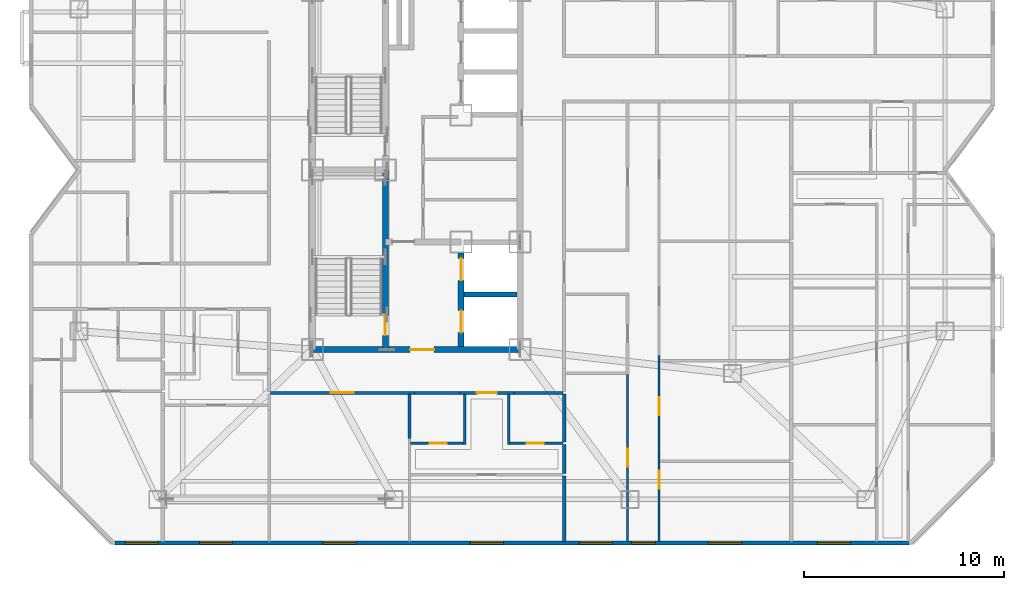
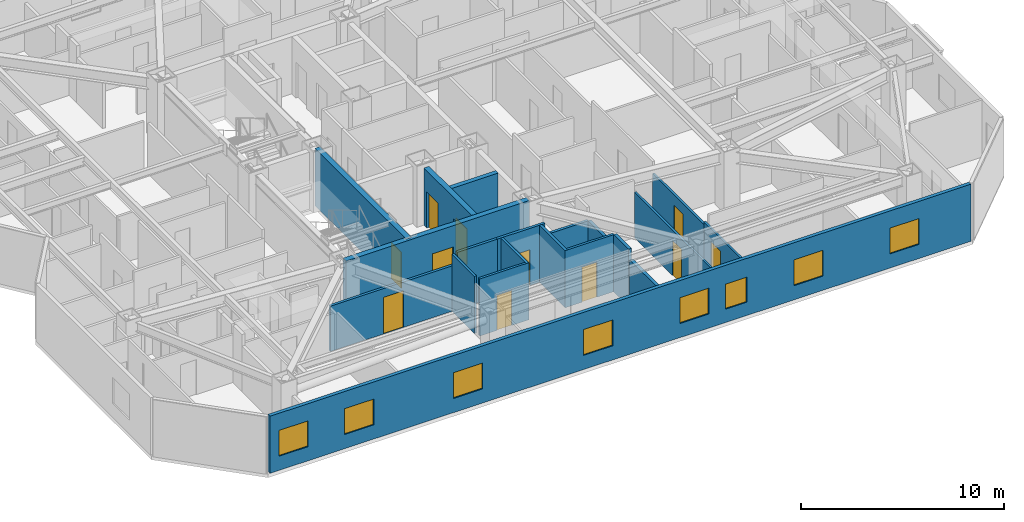
# One storey, part 6 of 13: 20 walls, 11 doors, 8 windows, 19 openings.
"""IFC4 building model written with IfcOpenShell, lengths in metres."""

import ifcopenshell
import ifcopenshell.guid

model = None  # the IFC model being written
_history = None  # IfcOwnerHistory: only IFC2X3 demands one
_inside = {}  # id of a spatial element -> (the spatial element, [elements in it])
_under = {}  # id of a project, library or spatial element -> (it, [spatial elements below it])
_declared = {}  # id of a project -> (the project, [libraries it declares])
_typed = {}  # id of a type object -> (the type object, [elements of that type])
_made_of = {}  # id of a material, layer set ... -> (it, [elements and type objects made of it])


def new_model(schema):
    """Start an empty IFC model of exactly this schema.

    Asked for "IFC4X3", IfcOpenShell would pick the latest addendum, in which some entities
    have other attributes; the version numbers below select the first issue.
    IFC2X3 requires an IfcOwnerHistory on every rooted entity: one is made here for all.
    """
    global model, _history
    if schema == "IFC4X3":
        model = ifcopenshell.file(schema_version=(4, 3, 0, 0))
    else:
        model = ifcopenshell.file(schema=schema)
    _inside.clear()
    _under.clear()
    _declared.clear()
    _typed.clear()
    _made_of.clear()
    _history = None
    if model.schema == "IFC2X3":
        org = make("IfcOrganization", Name="unknown")
        user = make(
            "IfcPersonAndOrganization",
            ThePerson=make("IfcPerson", FamilyName="unknown"),
            TheOrganization=org,
        )
        app = make(
            "IfcApplication",
            ApplicationDeveloper=org,
            Version="unknown",
            ApplicationFullName="unknown",
            ApplicationIdentifier="unknown",
        )
        _history = make(
            "IfcOwnerHistory",
            OwningUser=user,
            OwningApplication=app,
            ChangeAction="ADDED",
            CreationDate=0,
        )
    return model


def make(cls, **values):
    """One entity of the class cls with the attributes given. An attribute that is None is left unset."""
    return model.create_entity(
        cls, **{name: value for name, value in values.items() if value is not None}
    )


def rooted(cls, **values):
    """An entity with a GlobalId (a new one), such as an element, a storey or a relation."""
    return make(cls, GlobalId=ifcopenshell.guid.new(), OwnerHistory=_history, **values)


def si_unit(unit_type, name, prefix=None):
    """IfcSIUnit, for example si_unit("LENGTHUNIT", "METRE", prefix="MILLI")."""
    return make("IfcSIUnit", UnitType=unit_type, Prefix=prefix, Name=name)


def assignment(units):
    """IfcUnitAssignment: the units of a project."""
    return None if units is None else make("IfcUnitAssignment", Units=units)


def point(xyz):
    """IfcCartesianPoint."""
    return None if xyz is None else make("IfcCartesianPoint", Coordinates=xyz)


def direction(xyz):
    """IfcDirection."""
    return None if xyz is None else make("IfcDirection", DirectionRatios=xyz)


def frame(location, z_axis=None, x_axis=None):
    """IfcAxis2Placement3D, a coordinate frame: its origin and axes. An axis left out is left unset."""
    return make(
        "IfcAxis2Placement3D",
        Location=point(location),
        Axis=direction(z_axis),
        RefDirection=direction(x_axis),
    )


def frame_2d(location, x_axis=None):
    """IfcAxis2Placement2D, a coordinate frame in the plane: its origin and x axis."""
    return make(
        "IfcAxis2Placement2D", Location=point(location), RefDirection=direction(x_axis)
    )


def origin():
    """The frame at (0, 0, 0) with its axes left unset."""
    return frame((0.0, 0.0, 0.0))


def place(relative_to, where):
    """IfcLocalPlacement: puts the frame where relative to a parent placement (None: the world)."""
    return make(
        "IfcLocalPlacement", PlacementRelTo=relative_to, RelativePlacement=where
    )


def context(
    kind, dimensions, precision=None, world=None, true_north=None, identifier=None
):
    """IfcGeometricRepresentationContext, for example the 3D "Model" context."""
    return make(
        "IfcGeometricRepresentationContext",
        ContextIdentifier=identifier,
        ContextType=kind,
        CoordinateSpaceDimension=dimensions,
        Precision=precision,
        WorldCoordinateSystem=world,
        TrueNorth=true_north,
    )


def subcontext(parent, identifier, kind, view, scale=None):
    """IfcGeometricRepresentationSubContext, for example "Body" below "Model"."""
    return make(
        "IfcGeometricRepresentationSubContext",
        ContextIdentifier=identifier,
        ContextType=kind,
        ParentContext=parent,
        TargetScale=scale,
        TargetView=view,
    )


def project(units=None, contexts=None):
    """IfcProject with its units and contexts."""
    return rooted(
        "IfcProject",
        Name="project",
        RepresentationContexts=contexts,
        UnitsInContext=assignment(units),
    )


def spatial(cls, under=None, at=None, **own):
    """A site, building, storey or space (cls), placed at a placement, below another one or the project."""
    s = rooted(cls, ObjectPlacement=at, **own)
    if under is not None:
        _under.setdefault(under.id(), (under, []))[1].append(s)
    return s


def profile(cls, at=None, kind="AREA", **sizes):
    """A parametric profile (cls). Its sizes go by their IFC names, for example OverallWidth=200.0."""
    return make(cls, ProfileType=kind, Position=at, **sizes)


def rectangle(**sizes):
    """IfcRectangleProfileDef."""
    return profile("IfcRectangleProfileDef", **sizes)


def extrude(swept, where, along, depth):
    """IfcExtrudedAreaSolid: the profile swept, set in the frame where, extruded along a direction by depth."""
    return make(
        "IfcExtrudedAreaSolid",
        SweptArea=swept,
        Position=where,
        ExtrudedDirection=direction(along),
        Depth=depth,
    )


def shape(context_of_items, identifier, shape_type, items):
    """IfcShapeRepresentation: the items that make up one representation, for example the "Body"."""
    return make(
        "IfcShapeRepresentation",
        ContextOfItems=context_of_items,
        RepresentationIdentifier=identifier,
        RepresentationType=shape_type,
        Items=items,
    )


def material(Name=None, Category=None):
    """IfcMaterial."""
    return make("IfcMaterial", Name=Name, Category=Category)


def layer(
    of_material, thickness, ventilated=None, Name=None, Category=None, Priority=None
):
    """IfcMaterialLayer: one layer of a wall or slab, of a material (None: an air gap)."""
    return make(
        "IfcMaterialLayer",
        Material=of_material,
        LayerThickness=thickness,
        IsVentilated=ventilated,
        Name=Name,
        Category=Category,
        Priority=Priority,
    )


def layer_set(layers, Name=None):
    """IfcMaterialLayerSet."""
    return make("IfcMaterialLayerSet", MaterialLayers=layers, LayerSetName=Name)


def made_of(thing, what):
    """Note that an element or type object is made of a material, layer set ...; save() writes the relation."""
    if what is not None:
        _made_of.setdefault(what.id(), (what, []))[1].append(thing)
    return thing


def type_object(cls, material=None, **own):
    """A type object (cls), such as IfcWallType, which elements share."""
    return made_of(rooted(cls, **own), material)


def element(
    cls,
    number,
    at=None,
    inside=None,
    cuts=None,
    type_object=None,
    material=None,
    context=None,
    identifier="Body",
    shape_type=None,
    held_by="IfcProductDefinitionShape",
    body=None,
    shapes=None,
    **own,
):
    """One element of the class cls, such as IfcWall. Its Tag is "e" and its number.

    at: its placement. inside: the storey or other place that contains it. cuts: it is an
    opening in that element (IfcRelVoidsElement). A single representation is given by context,
    identifier, shape_type and body (its items); several are given by shapes. held_by: the class
    of the entity that holds the representations. save() writes the other relations.
    """
    e = rooted(cls, Tag="e%d" % number, ObjectPlacement=at, **own)
    if body is not None:
        shapes = [shape(context, identifier, shape_type, body)]
    if shapes is not None:
        e.Representation = make(held_by, Representations=shapes)
    if inside is not None:
        _inside.setdefault(inside.id(), (inside, []))[1].append(e)
    if cuts is not None:
        rooted(
            "IfcRelVoidsElement", RelatingBuildingElement=cuts, RelatedOpeningElement=e
        )
    if type_object is not None:
        _typed.setdefault(type_object.id(), (type_object, []))[1].append(e)
    return made_of(e, material)


def fill(opening, filler):
    """IfcRelFillsElement: the door or window that sits in an opening."""
    return rooted(
        "IfcRelFillsElement",
        RelatingOpeningElement=opening,
        RelatedBuildingElement=filler,
    )


def aggregate(whole, parts):
    """IfcRelAggregates: a whole, such as a stair, and the parts it consists of."""
    return rooted("IfcRelAggregates", RelatingObject=whole, RelatedObjects=parts)


def save(model, path):
    """Write the relations noted so far, then the file.

    IfcRelAggregates (storeys below a building ...), IfcRelContainedInSpatialStructure (elements
    in a storey), IfcRelDefinesByType, IfcRelAssociatesMaterial and IfcRelDeclares: one each for
    every whole, place, type object, material and project.
    """
    for whole, parts in _under.values():
        aggregate(whole, parts)
    for where, things in _inside.values():
        rooted(
            "IfcRelContainedInSpatialStructure",
            RelatedElements=things,
            RelatingStructure=where,
        )
    for kind, things in _typed.values():
        rooted("IfcRelDefinesByType", RelatedObjects=things, RelatingType=kind)
    for what, things in _made_of.values():
        rooted("IfcRelAssociatesMaterial", RelatedObjects=things, RelatingMaterial=what)
    for by, libraries in _declared.values():
        rooted("IfcRelDeclares", RelatingContext=by, RelatedDefinitions=libraries)
    model.write(path)


model = new_model("IFC4")

# Units and contexts
model_context = context("Model", 3, precision=1e-05, world=origin(), true_north=direction((0.0, 1.0)))
body_context = subcontext(model_context, "Body", "Model", "MODEL_VIEW")
ifc_project = project(units=[si_unit("LENGTHUNIT", "METRE"), si_unit("AREAUNIT", "SQUARE_METRE"), si_unit("VOLUMEUNIT", "CUBIC_METRE"), si_unit("PLANEANGLEUNIT", "RADIAN"), si_unit("MASSUNIT", "GRAM", prefix="KILO")], contexts=[model_context])

# Site, building, storey
site_placement = place(None, origin())
site = spatial("IfcSite", under=ifc_project, at=site_placement, CompositionType="ELEMENT")
building_placement = place(site_placement, origin())
building = spatial("IfcBuilding", under=site, at=building_placement, Name="Khamvora Tower", CompositionType="ELEMENT")
storey_placement = place(building_placement, frame((0.0, 0.0, 166.85009765625)))
storey = spatial("IfcBuildingStorey", under=building, at=storey_placement, Name="L42", CompositionType="ELEMENT", Elevation=166.85009765625)

# Wall, opening, door
ifc_material_1 = material(Name="Concrete C50/60", Category="concrete")
ifc_layer_1 = layer(ifc_material_1, 0.300048828125)
ifc_layer_set_1 = layer_set([ifc_layer_1], Name="Concrete C50/60")
wall_type_1 = type_object("IfcWallType", Name="WAL-CORE-300", PredefinedType="SHEAR", material=ifc_layer_set_1)
wall_1_placement = place(storey_placement, frame((29.0, 19.0, 0.0), z_axis=(0.0, 0.0, 1.0), x_axis=(1.0, 0.0, 0.0)))
wall_1 = element("IfcWall", 1, at=wall_1_placement, inside=storey, type_object=wall_type_1, Name="L42 central core south wall", PredefinedType="SHEAR", context=body_context, shape_type="SweptSolid", body=[
    extrude(rectangle(XDim=10.39990234375, YDim=0.300048828125, at=frame_2d((5.199951171875, 0.0))), origin(), (0.0, 0.0, 1.0), 3.429931640625),
])
opening_1_placement = place(wall_1_placement, frame((4.89990234375, 0.0, 0.0)))
opening_1 = element("IfcOpeningElement", 2, at=opening_1_placement, cuts=wall_1, Name="Opening D-CR1", PredefinedType="OPENING", context=body_context, shape_type="SweptSolid", body=[
    extrude(rectangle(XDim=1.199951171875, YDim=2.14990234375, at=frame_2d((0.60009765625, 1.074951171875))), frame((0.0, 0.159912109375, 0.0), z_axis=(0.0, -1.0, 0.0), x_axis=(1.0, 0.0, 0.0)), (0.0, 0.0, 1.0), 0.320068359375),
])
ifc_material_2 = material(Name="Powder-Coated Steel and Hardwood Leaf", Category="steel")
door_type_1 = type_object("IfcDoorType", Name="DOR-CORR-1200", OperationType="NOTDEFINED", PredefinedType="DOOR", material=ifc_material_2)
door_1_placement = place(opening_1_placement, origin())
door_1 = element("IfcDoor", 3, at=door_1_placement, inside=storey, type_object=door_type_1, Name="L42 south core lobby to corridor fire door", OperationType="SINGLE_SWING_RIGHT", OverallHeight=2.14990234375, OverallWidth=1.199951171875, PredefinedType="DOOR", context=body_context, shape_type="SweptSolid", body=[
    extrude(rectangle(XDim=1.199951171875, YDim=2.14990234375, at=frame_2d((0.60009765625, 1.074951171875))), frame((0.0, 0.02490234375, 0.0), z_axis=(0.0, -1.0, 0.0), x_axis=(1.0, 0.0, 0.0)), (0.0, 0.0, 1.0), 0.050048828125),
])
fill(opening_1, door_1)

wall_2_placement = place(storey_placement, frame((32.64990234375, 19.0, 0.0), z_axis=(0.0, 0.0, 1.0), x_axis=(0.0, 1.0, 0.0)))
wall_2 = element("IfcWall", 4, at=wall_2_placement, inside=storey, type_object=wall_type_1, Name="L42 central core stair south spine wall", PredefinedType="SHEAR", context=body_context, shape_type="SweptSolid", body=[
    extrude(rectangle(XDim=9.0, YDim=0.300048828125, at=frame_2d((4.5, 0.0))), origin(), (0.0, 0.0, 1.0), 3.429931640625),
])
opening_2_placement = place(wall_2_placement, frame((0.719970703125, 0.0, 0.0)))
opening_2 = element("IfcOpeningElement", 5, at=opening_2_placement, cuts=wall_2, Name="Opening D-ST1", PredefinedType="OPENING", context=body_context, shape_type="SweptSolid", body=[
    extrude(rectangle(XDim=1.0, YDim=2.14990234375, at=frame_2d((0.5, 1.074951171875))), frame((0.0, 0.159912109375, 0.0), z_axis=(0.0, -1.0, 0.0), x_axis=(1.0, 0.0, 0.0)), (0.0, 0.0, 1.0), 0.320068359375),
])
door_type_2 = type_object("IfcDoorType", Name="DOR-STAIR-1000", OperationType="NOTDEFINED", PredefinedType="DOOR", material=ifc_material_2)
door_2_placement = place(opening_2_placement, origin())
door_2 = element("IfcDoor", 6, at=door_2_placement, inside=storey, type_object=door_type_2, Name="L42 exit stair ST-01 fire door", OperationType="SINGLE_SWING_RIGHT", OverallHeight=2.14990234375, OverallWidth=1.0, PredefinedType="DOOR", context=body_context, shape_type="SweptSolid", body=[
    extrude(rectangle(XDim=1.0, YDim=2.14990234375, at=frame_2d((0.5, 1.074951171875))), frame((0.0, 0.02490234375, 0.0), z_axis=(0.0, -1.0, 0.0), x_axis=(1.0, 0.0, 0.0)), (0.0, 0.0, 1.0), 0.050048828125),
])
fill(opening_2, door_2)

# Wall, openings, doors
wall_3_placement = place(storey_placement, frame((36.449951171875, 19.154052734375, 0.0), z_axis=(0.0, 0.0, 1.0), x_axis=(0.0, 1.0, 0.0)))
wall_3 = element("IfcWall", 7, at=wall_3_placement, inside=storey, type_object=wall_type_1, Name="L42 central core lift bank south wall", PredefinedType="SHEAR", context=body_context, shape_type="SweptSolid", body=[
    extrude(rectangle(XDim=4.696044921875, YDim=0.300048828125, at=frame_2d((2.34814453125, 0.0))), origin(), (0.0, 0.0, 1.0), 3.429931640625),
])
opening_3_placement = place(wall_3_placement, frame((0.696044921875, 0.0, 0.0)))
opening_3 = element("IfcOpeningElement", 8, at=opening_3_placement, cuts=wall_3, Name="Opening LD-FFL", PredefinedType="OPENING", context=body_context, shape_type="SweptSolid", body=[
    extrude(rectangle(XDim=1.10009765625, YDim=2.14990234375, at=frame_2d((0.550048828125, 1.074951171875))), frame((0.0, 0.159912109375, 0.0), z_axis=(0.0, -1.0, 0.0), x_axis=(1.0, 0.0, 0.0)), (0.0, 0.0, 1.0), 0.320068359375),
])
opening_4_placement = place(wall_3_placement, frame((3.31591796875, 0.0, 0.0)))
opening_4 = element("IfcOpeningElement", 9, at=opening_4_placement, cuts=wall_3, Name="Opening LD-FFL", PredefinedType="OPENING", context=body_context, shape_type="SweptSolid", body=[
    extrude(rectangle(XDim=1.10009765625, YDim=2.14990234375, at=frame_2d((0.550048828125, 1.074951171875))), frame((0.0, 0.159912109375, 0.0), z_axis=(0.0, -1.0, 0.0), x_axis=(1.0, 0.0, 0.0)), (0.0, 0.0, 1.0), 0.320068359375),
])
door_type_3 = type_object("IfcDoorType", Name="DOR-LIFT-1100", OperationType="SLIDING_TO_LEFT", PredefinedType="DOOR", material=ifc_material_2)
door_3_placement = place(opening_3_placement, origin())
door_3 = element("IfcDoor", 10, at=door_3_placement, inside=storey, type_object=door_type_3, Name="L42 lift landing sliding door FFL-01", OperationType="SLIDING_TO_LEFT", OverallHeight=2.14990234375, OverallWidth=1.10009765625, PredefinedType="DOOR", context=body_context, shape_type="SweptSolid", body=[
    extrude(rectangle(XDim=1.10009765625, YDim=2.14990234375, at=frame_2d((0.550048828125, 1.074951171875))), frame((0.0, 0.02490234375, 0.0), z_axis=(0.0, -1.0, 0.0), x_axis=(1.0, 0.0, 0.0)), (0.0, 0.0, 1.0), 0.050048828125),
])
fill(opening_3, door_3)
door_4_placement = place(opening_4_placement, origin())
door_4 = element("IfcDoor", 11, at=door_4_placement, inside=storey, type_object=door_type_3, Name="L42 lift landing sliding door FFL-02", OperationType="SLIDING_TO_LEFT", OverallHeight=2.14990234375, OverallWidth=1.10009765625, PredefinedType="DOOR", context=body_context, shape_type="SweptSolid", body=[
    extrude(rectangle(XDim=1.10009765625, YDim=2.14990234375, at=frame_2d((0.550048828125, 1.074951171875))), frame((0.0, 0.02490234375, 0.0), z_axis=(0.0, -1.0, 0.0), x_axis=(1.0, 0.0, 0.0)), (0.0, 0.0, 1.0), 0.050048828125),
])
fill(opening_4, door_4)

# Wall, opening, door
ifc_material_3 = material(Name="Fire-Rated Drywall and Steel Stud", Category="steel")
ifc_layer_2 = layer(ifc_material_3, 0.14990234375)
ifc_layer_set_2 = layer_set([ifc_layer_2], Name="Fire-Rated Drywall and Steel Stud")
wall_type_2 = type_object("IfcWallType", Name="WAL-CORR-150", PredefinedType="STANDARD", material=ifc_layer_set_2)
wall_4_placement = place(storey_placement, frame((34.114013671875, 16.8349609375, 0.0), z_axis=(0.0, 0.0, 1.0), x_axis=(-1.0, 0.0, 0.0)))
wall_4 = element("IfcWall", 12, at=wall_4_placement, inside=storey, type_object=wall_type_2, Name="L42 interior partition wall 007", PredefinedType="STANDARD", context=body_context, shape_type="SweptSolid", body=[
    extrude(rectangle(XDim=7.214111328125, YDim=0.14990234375, at=frame_2d((3.60693359375, 0.0))), origin(), (0.0, 0.0, 1.0), 2.724853515625),
])
opening_5_placement = place(wall_4_placement, frame((3.052978515625, 0.0, 0.0)))
opening_5 = element("IfcOpeningElement", 13, at=opening_5_placement, cuts=wall_4, Name="Opening D-SC1", PredefinedType="OPENING", context=body_context, shape_type="SweptSolid", body=[
    extrude(rectangle(XDim=1.14990234375, YDim=2.199951171875, at=frame_2d((0.574951171875, 1.10009765625))), frame((0.0, 0.0849609375, 0.0), z_axis=(0.0, -1.0, 0.0), x_axis=(1.0, 0.0, 0.0)), (0.0, 0.0, 1.0), 0.169921875),
])
door_type_4 = type_object("IfcDoorType", Name="DOR-SCHL-1150", OperationType="NOTDEFINED", PredefinedType="DOOR", material=ifc_material_2)
door_5_placement = place(opening_5_placement, origin())
door_5 = element("IfcDoor", 14, at=door_5_placement, inside=storey, type_object=door_type_4, Name="L42 interior door COR-RLIB", OperationType="SINGLE_SWING_LEFT", OverallHeight=2.199951171875, OverallWidth=1.14990234375, PredefinedType="DOOR", context=body_context, shape_type="SweptSolid", body=[
    extrude(rectangle(XDim=1.14990234375, YDim=2.199951171875, at=frame_2d((0.574951171875, 1.10009765625))), frame((0.0, 0.02490234375, 0.0), z_axis=(0.0, -1.0, 0.0), x_axis=(1.0, 0.0, 0.0)), (0.0, 0.0, 1.0), 0.050048828125),
])
fill(opening_5, door_5)

wall_5_placement = place(storey_placement, frame((39.089111328125, 16.8349609375, 0.0), z_axis=(0.0, 0.0, 1.0), x_axis=(-1.0, 0.0, 0.0)))
wall_5 = element("IfcWall", 15, at=wall_5_placement, inside=storey, type_object=wall_type_2, Name="L42 interior partition wall 021", PredefinedType="STANDARD", context=body_context, shape_type="SweptSolid", body=[
    extrude(rectangle(XDim=2.697998046875, YDim=0.14990234375, at=frame_2d((1.34912109375, 0.0))), origin(), (0.0, 0.0, 1.0), 3.429931640625),
])
opening_6_placement = place(wall_5_placement, frame((0.84912109375, 0.0, 0.0)))
opening_6 = element("IfcOpeningElement", 16, at=opening_6_placement, cuts=wall_5, Name="Opening D-U1", PredefinedType="OPENING", context=body_context, shape_type="SweptSolid", body=[
    extrude(rectangle(XDim=1.0, YDim=2.14990234375, at=frame_2d((0.5, 1.074951171875))), frame((0.0, 0.0849609375, 0.0), z_axis=(0.0, -1.0, 0.0), x_axis=(1.0, 0.0, 0.0)), (0.0, 0.0, 1.0), 0.169921875),
])
door_type_5 = type_object("IfcDoorType", Name="DOR-UNIT-1000", OperationType="NOTDEFINED", PredefinedType="DOOR", material=ifc_material_2)
door_6_placement = place(opening_6_placement, origin())
door_6 = element("IfcDoor", 17, at=door_6_placement, inside=storey, type_object=door_type_5, Name="L42 interior door COR-42SAH", OperationType="SINGLE_SWING_RIGHT", OverallHeight=2.14990234375, OverallWidth=1.0, PredefinedType="DOOR", context=body_context, shape_type="SweptSolid", body=[
    extrude(rectangle(XDim=1.0, YDim=2.14990234375, at=frame_2d((0.5, 1.074951171875))), frame((0.0, 0.02490234375, 0.0), z_axis=(0.0, -1.0, 0.0), x_axis=(1.0, 0.0, 0.0)), (0.0, 0.0, 1.0), 0.050048828125),
])
fill(opening_6, door_6)

# Walls
wall_6_placement = place(storey_placement, frame((36.39111328125, 16.8349609375, 0.0), z_axis=(0.0, 0.0, 1.0), x_axis=(-1.0, 0.0, 0.0)))
element("IfcWall", 18, at=wall_6_placement, inside=storey, type_object=wall_type_2, Name="L42 interior partition wall 022", PredefinedType="STANDARD", context=body_context, shape_type="SweptSolid", body=[
    extrude(rectangle(XDim=2.277099609375, YDim=0.14990234375, at=frame_2d((1.138671875, 0.0))), origin(), (0.0, 0.0, 1.0), 3.429931640625),
])
wall_7_placement = place(storey_placement, frame((41.550048828125, 16.8349609375, 0.0), z_axis=(0.0, 0.0, 1.0), x_axis=(-1.0, 0.0, 0.0)))
element("IfcWall", 19, at=wall_7_placement, inside=storey, type_object=wall_type_2, Name="L42 interior partition wall 023", PredefinedType="STANDARD", context=body_context, shape_type="SweptSolid", body=[
    extrude(rectangle(XDim=2.4609375, YDim=0.14990234375, at=frame_2d((1.23046875, 0.0))), origin(), (0.0, 0.0, 1.0), 2.724853515625),
])
ifc_material_4 = material(Name="Acoustic Double-Stud Fire Wall", Category="gypsum")
ifc_layer_3 = layer(ifc_material_4, 0.179931640625)
ifc_layer_set_3 = layer_set([ifc_layer_3], Name="Acoustic Double-Stud Fire Wall")
wall_type_3 = type_object("IfcWallType", Name="WAL-CORR-180", PredefinedType="STANDARD", material=ifc_layer_set_3)
wall_8_placement = place(storey_placement, frame((41.614990234375, 14.239990234375, 0.0), z_axis=(0.0, 0.0, 1.0), x_axis=(0.0, -1.0, 0.0)))
element("IfcWall", 20, at=wall_8_placement, inside=storey, type_object=wall_type_3, Name="L42 interior partition wall 091", PredefinedType="STANDARD", context=body_context, shape_type="SweptSolid", body=[
    extrude(rectangle(XDim=1.449951171875, YDim=0.179931640625, at=frame_2d((0.72509765625, 0.0))), origin(), (0.0, 0.0, 1.0), 3.429931640625),
])
wall_9_placement = place(storey_placement, frame((41.614990234375, 16.77001953125, 0.0), z_axis=(0.0, 0.0, 1.0), x_axis=(0.0, -1.0, 0.0)))
element("IfcWall", 21, at=wall_9_placement, inside=storey, type_object=wall_type_3, Name="L42 interior partition wall 092", PredefinedType="STANDARD", context=body_context, shape_type="SweptSolid", body=[
    extrude(rectangle(XDim=2.39990234375, YDim=0.179931640625, at=frame_2d((1.199951171875, 0.0))), origin(), (0.0, 0.0, 1.0), 2.724853515625),
])
wall_10_placement = place(storey_placement, frame((41.614990234375, 12.659912109375, 0.0), z_axis=(0.0, 0.0, 1.0), x_axis=(0.0, -1.0, 0.0)))
element("IfcWall", 22, at=wall_10_placement, inside=storey, type_object=wall_type_3, Name="L42 interior partition wall 093", PredefinedType="STANDARD", context=body_context, shape_type="SweptSolid", body=[
    extrude(rectangle(XDim=3.267822265625, YDim=0.179931640625, at=frame_2d((1.6337890625, 0.0))), origin(), (0.0, 0.0, 1.0), 2.8759765625),
])

# Wall, openings, windows
ifc_material_5 = material(Name="Precast concrete C40/50", Category="concrete")
ifc_layer_4 = layer(ifc_material_5, 0.199951171875)
ifc_layer_set_4 = layer_set([ifc_layer_4], Name="Precast concrete C40/50")
wall_type_4 = type_object("IfcWallType", Name="WAL-EXT-200", PredefinedType="STANDARD", material=ifc_layer_set_4)
wall_11_placement = place(storey_placement, frame((58.89599609375, 9.300048828125, 0.0), z_axis=(0.0, 0.0, 1.0), x_axis=(-1.0, 0.0, 0.0)))
wall_11 = element("IfcWall", 23, at=wall_11_placement, inside=storey, type_object=wall_type_4, Name="L42 exterior facade wall 14.1", PredefinedType="STANDARD", context=body_context, shape_type="SweptSolid", body=[
    extrude(rectangle(XDim=39.79296875, YDim=0.199951171875, at=frame_2d((19.896484375, 0.0))), origin(), (0.0, 0.0, 1.0), 3.429931640625),
])
opening_7_placement = place(wall_11_placement, frame((27.720947265625, 0.0, 0.85009765625)))
opening_7 = element("IfcOpeningElement", 24, at=opening_7_placement, cuts=wall_11, Name="Opening WN-06", PredefinedType="OPENING", context=body_context, shape_type="SweptSolid", body=[
    extrude(rectangle(XDim=1.64990234375, YDim=1.550048828125, at=frame_2d((0.824951171875, 0.77490234375))), frame((0.0, 0.10986328125, 0.0), z_axis=(0.0, -1.0, 0.0), x_axis=(1.0, 0.0, 0.0)), (0.0, 0.0, 1.0), 0.219970703125),
])
opening_8_placement = place(wall_11_placement, frame((37.625, 0.0, 0.85009765625)))
opening_8 = element("IfcOpeningElement", 25, at=opening_8_placement, cuts=wall_11, Name="Opening WN-06", PredefinedType="OPENING", context=body_context, shape_type="SweptSolid", body=[
    extrude(rectangle(XDim=1.64990234375, YDim=1.550048828125, at=frame_2d((0.824951171875, 0.77490234375))), frame((0.0, 0.10986328125, 0.0), z_axis=(0.0, -1.0, 0.0), x_axis=(1.0, 0.0, 0.0)), (0.0, 0.0, 1.0), 0.219970703125),
])
opening_9_placement = place(wall_11_placement, frame((33.90087890625, 0.0, 0.85009765625)))
opening_9 = element("IfcOpeningElement", 26, at=opening_9_placement, cuts=wall_11, Name="Opening WN-06", PredefinedType="OPENING", context=body_context, shape_type="SweptSolid", body=[
    extrude(rectangle(XDim=1.64990234375, YDim=1.550048828125, at=frame_2d((0.824951171875, 0.77490234375))), frame((0.0, 0.10986328125, 0.0), z_axis=(0.0, -1.0, 0.0), x_axis=(1.0, 0.0, 0.0)), (0.0, 0.0, 1.0), 0.219970703125),
])
opening_10_placement = place(wall_11_placement, frame((20.3310546875, 0.0, 0.85009765625)))
opening_10 = element("IfcOpeningElement", 27, at=opening_10_placement, cuts=wall_11, Name="Opening WN-06", PredefinedType="OPENING", context=body_context, shape_type="SweptSolid", body=[
    extrude(rectangle(XDim=1.64990234375, YDim=1.550048828125, at=frame_2d((0.824951171875, 0.77490234375))), frame((0.0, 0.10986328125, 0.0), z_axis=(0.0, -1.0, 0.0), x_axis=(1.0, 0.0, 0.0)), (0.0, 0.0, 1.0), 0.219970703125),
])
opening_11_placement = place(wall_11_placement, frame((14.868896484375, 0.0, 0.85009765625)))
opening_11 = element("IfcOpeningElement", 28, at=opening_11_placement, cuts=wall_11, Name="Opening WN-06", PredefinedType="OPENING", context=body_context, shape_type="SweptSolid", body=[
    extrude(rectangle(XDim=1.64990234375, YDim=1.550048828125, at=frame_2d((0.824951171875, 0.77490234375))), frame((0.0, 0.10986328125, 0.0), z_axis=(0.0, -1.0, 0.0), x_axis=(1.0, 0.0, 0.0)), (0.0, 0.0, 1.0), 0.219970703125),
])
opening_12_placement = place(wall_11_placement, frame((12.718017578125, 0.0, 0.800048828125)))
opening_12 = element("IfcOpeningElement", 29, at=opening_12_placement, cuts=wall_11, Name="Opening WN-03", PredefinedType="OPENING", context=body_context, shape_type="SweptSolid", body=[
    extrude(rectangle(XDim=1.199951171875, YDim=1.5, at=frame_2d((0.60009765625, 0.75))), frame((0.0, 0.10986328125, 0.0), z_axis=(0.0, -1.0, 0.0), x_axis=(1.0, 0.0, 0.0)), (0.0, 0.0, 1.0), 0.219970703125),
])
opening_13_placement = place(wall_11_placement, frame((8.39404296875, 0.0, 0.85009765625)))
opening_13 = element("IfcOpeningElement", 30, at=opening_13_placement, cuts=wall_11, Name="Opening WN-06", PredefinedType="OPENING", context=body_context, shape_type="SweptSolid", body=[
    extrude(rectangle(XDim=1.64990234375, YDim=1.550048828125, at=frame_2d((0.824951171875, 0.77490234375))), frame((0.0, 0.10986328125, 0.0), z_axis=(0.0, -1.0, 0.0), x_axis=(1.0, 0.0, 0.0)), (0.0, 0.0, 1.0), 0.219970703125),
])
opening_14_placement = place(wall_11_placement, frame((2.93603515625, 0.0, 0.85009765625)))
opening_14 = element("IfcOpeningElement", 31, at=opening_14_placement, cuts=wall_11, Name="Opening WN-06", PredefinedType="OPENING", context=body_context, shape_type="SweptSolid", body=[
    extrude(rectangle(XDim=1.64990234375, YDim=1.550048828125, at=frame_2d((0.824951171875, 0.77490234375))), frame((0.0, 0.10986328125, 0.0), z_axis=(0.0, -1.0, 0.0), x_axis=(1.0, 0.0, 0.0)), (0.0, 0.0, 1.0), 0.219970703125),
])
ifc_material_6 = material(Name="Low-E Laminated Double Glazing", Category="glass")
window_type_1 = type_object("IfcWindowType", Name="WIN-VIS-1200x1500", PartitioningType="SINGLE_PANEL", PredefinedType="WINDOW", material=ifc_material_6)
window_1_placement = place(opening_12_placement, origin())
window_1 = element("IfcWindow", 32, at=window_1_placement, inside=storey, type_object=window_type_1, Name="L42 vision window 14.1.06", OverallHeight=1.5, OverallWidth=1.199951171875, PartitioningType="SINGLE_PANEL", PredefinedType="WINDOW", context=body_context, shape_type="SweptSolid", body=[
    extrude(rectangle(XDim=1.199951171875, YDim=1.5, at=frame_2d((0.60009765625, 0.75))), frame((0.0, 0.030029296875, 0.0), z_axis=(0.0, -1.0, 0.0), x_axis=(1.0, 0.0, 0.0)), (0.0, 0.0, 1.0), 0.06005859375),
])
fill(opening_12, window_1)
window_type_2 = type_object("IfcWindowType", Name="WIN-VIS-1650x1550", PartitioningType="SINGLE_PANEL", PredefinedType="WINDOW", material=ifc_material_6)
window_2_placement = place(opening_7_placement, origin())
window_2 = element("IfcWindow", 33, at=window_2_placement, inside=storey, type_object=window_type_2, Name="L42 vision window 14.1.01", OverallHeight=1.550048828125, OverallWidth=1.64990234375, PartitioningType="SINGLE_PANEL", PredefinedType="WINDOW", context=body_context, shape_type="SweptSolid", body=[
    extrude(rectangle(XDim=1.64990234375, YDim=1.550048828125, at=frame_2d((0.824951171875, 0.77490234375))), frame((0.0, 0.030029296875, 0.0), z_axis=(0.0, -1.0, 0.0), x_axis=(1.0, 0.0, 0.0)), (0.0, 0.0, 1.0), 0.06005859375),
])
fill(opening_7, window_2)
window_3_placement = place(opening_8_placement, origin())
window_3 = element("IfcWindow", 34, at=window_3_placement, inside=storey, type_object=window_type_2, Name="L42 vision window 14.1.02", OverallHeight=1.550048828125, OverallWidth=1.64990234375, PartitioningType="SINGLE_PANEL", PredefinedType="WINDOW", context=body_context, shape_type="SweptSolid", body=[
    extrude(rectangle(XDim=1.64990234375, YDim=1.550048828125, at=frame_2d((0.824951171875, 0.77490234375))), frame((0.0, 0.030029296875, 0.0), z_axis=(0.0, -1.0, 0.0), x_axis=(1.0, 0.0, 0.0)), (0.0, 0.0, 1.0), 0.06005859375),
])
fill(opening_8, window_3)
window_4_placement = place(opening_9_placement, origin())
window_4 = element("IfcWindow", 35, at=window_4_placement, inside=storey, type_object=window_type_2, Name="L42 vision window 14.1.03", OverallHeight=1.550048828125, OverallWidth=1.64990234375, PartitioningType="SINGLE_PANEL", PredefinedType="WINDOW", context=body_context, shape_type="SweptSolid", body=[
    extrude(rectangle(XDim=1.64990234375, YDim=1.550048828125, at=frame_2d((0.824951171875, 0.77490234375))), frame((0.0, 0.030029296875, 0.0), z_axis=(0.0, -1.0, 0.0), x_axis=(1.0, 0.0, 0.0)), (0.0, 0.0, 1.0), 0.06005859375),
])
fill(opening_9, window_4)
window_5_placement = place(opening_10_placement, origin())
window_5 = element("IfcWindow", 36, at=window_5_placement, inside=storey, type_object=window_type_2, Name="L42 vision window 14.1.04", OverallHeight=1.550048828125, OverallWidth=1.64990234375, PartitioningType="SINGLE_PANEL", PredefinedType="WINDOW", context=body_context, shape_type="SweptSolid", body=[
    extrude(rectangle(XDim=1.64990234375, YDim=1.550048828125, at=frame_2d((0.824951171875, 0.77490234375))), frame((0.0, 0.030029296875, 0.0), z_axis=(0.0, -1.0, 0.0), x_axis=(1.0, 0.0, 0.0)), (0.0, 0.0, 1.0), 0.06005859375),
])
fill(opening_10, window_5)
window_6_placement = place(opening_11_placement, origin())
window_6 = element("IfcWindow", 37, at=window_6_placement, inside=storey, type_object=window_type_2, Name="L42 vision window 14.1.05", OverallHeight=1.550048828125, OverallWidth=1.64990234375, PartitioningType="SINGLE_PANEL", PredefinedType="WINDOW", context=body_context, shape_type="SweptSolid", body=[
    extrude(rectangle(XDim=1.64990234375, YDim=1.550048828125, at=frame_2d((0.824951171875, 0.77490234375))), frame((0.0, 0.030029296875, 0.0), z_axis=(0.0, -1.0, 0.0), x_axis=(1.0, 0.0, 0.0)), (0.0, 0.0, 1.0), 0.06005859375),
])
fill(opening_11, window_6)
window_7_placement = place(opening_13_placement, origin())
window_7 = element("IfcWindow", 38, at=window_7_placement, inside=storey, type_object=window_type_2, Name="L42 vision window 14.1.07", OverallHeight=1.550048828125, OverallWidth=1.64990234375, PartitioningType="SINGLE_PANEL", PredefinedType="WINDOW", context=body_context, shape_type="SweptSolid", body=[
    extrude(rectangle(XDim=1.64990234375, YDim=1.550048828125, at=frame_2d((0.824951171875, 0.77490234375))), frame((0.0, 0.030029296875, 0.0), z_axis=(0.0, -1.0, 0.0), x_axis=(1.0, 0.0, 0.0)), (0.0, 0.0, 1.0), 0.06005859375),
])
fill(opening_13, window_7)
window_8_placement = place(opening_14_placement, origin())
window_8 = element("IfcWindow", 39, at=window_8_placement, inside=storey, type_object=window_type_2, Name="L42 vision window 14.1.08", OverallHeight=1.550048828125, OverallWidth=1.64990234375, PartitioningType="SINGLE_PANEL", PredefinedType="WINDOW", context=body_context, shape_type="SweptSolid", body=[
    extrude(rectangle(XDim=1.64990234375, YDim=1.550048828125, at=frame_2d((0.824951171875, 0.77490234375))), frame((0.0, 0.030029296875, 0.0), z_axis=(0.0, -1.0, 0.0), x_axis=(1.0, 0.0, 0.0)), (0.0, 0.0, 1.0), 0.06005859375),
])
fill(opening_14, window_8)

# Wall, opening, door
ifc_material_7 = material(Name="Gypsum Plasterboard Partition", Category="gypsum")
ifc_layer_5 = layer(ifc_material_7, 0.1201171875)
ifc_layer_set_5 = layer_set([ifc_layer_5], Name="Gypsum Plasterboard Partition")
wall_type_5 = type_object("IfcWallType", Name="WAL-PART-120", PredefinedType="PARTITIONING", material=ifc_layer_set_5)
wall_12_placement = place(storey_placement, frame((44.7880859375, 17.75390625, 0.0), z_axis=(0.0, 0.0, 1.0), x_axis=(0.0, -1.0, 0.0)))
wall_12 = element("IfcWall", 40, at=wall_12_placement, inside=storey, type_object=wall_type_5, Name="L42 interior partition wall 105", PredefinedType="PARTITIONING", context=body_context, shape_type="SweptSolid", body=[
    extrude(rectangle(XDim=8.36181640625, YDim=0.1201171875, at=frame_2d((4.180908203125, 0.0))), origin(), (0.0, 0.0, 1.0), 2.724853515625),
])
opening_15_placement = place(wall_12_placement, frame((3.73095703125, 0.0, 0.0)))
opening_15 = element("IfcOpeningElement", 41, at=opening_15_placement, cuts=wall_12, Name="Opening D-RM1", PredefinedType="OPENING", context=body_context, shape_type="SweptSolid", body=[
    extrude(rectangle(XDim=0.89990234375, YDim=2.10009765625, at=frame_2d((0.449951171875, 1.050048828125))), frame((0.0, 0.070068359375, 0.0), z_axis=(0.0, -1.0, 0.0), x_axis=(1.0, 0.0, 0.0)), (0.0, 0.0, 1.0), 0.14013671875),
])
door_type_6 = type_object("IfcDoorType", Name="DOR-ROOM-900", OperationType="NOTDEFINED", PredefinedType="DOOR", material=ifc_material_2)
door_7_placement = place(opening_15_placement, origin())
door_7 = element("IfcDoor", 42, at=door_7_placement, inside=storey, type_object=door_type_6, Name="L42 interior door 42EAW1-42EAH", OperationType="SINGLE_SWING_LEFT", OverallHeight=2.10009765625, OverallWidth=0.89990234375, PredefinedType="DOOR", context=body_context, shape_type="SweptSolid", body=[
    extrude(rectangle(XDim=0.89990234375, YDim=2.10009765625, at=frame_2d((0.449951171875, 1.050048828125))), frame((0.0, 0.02490234375, 0.0), z_axis=(0.0, -1.0, 0.0), x_axis=(1.0, 0.0, 0.0)), (0.0, 0.0, 1.0), 0.050048828125),
])
fill(opening_15, door_7)

wall_13_placement = place(storey_placement, frame((46.367919921875, 13.659912109375, 0.0), z_axis=(0.0, 0.0, 1.0), x_axis=(0.0, -1.0, 0.0)))
wall_13 = element("IfcWall", 43, at=wall_13_placement, inside=storey, type_object=wall_type_5, Name="L42 interior partition wall 111", PredefinedType="PARTITIONING", context=body_context, shape_type="SweptSolid", body=[
    extrude(rectangle(XDim=4.267822265625, YDim=0.1201171875, at=frame_2d((2.1337890625, 0.0))), origin(), (0.0, 0.0, 1.0), 2.8759765625),
])
opening_16_placement = place(wall_13_placement, frame((0.722900390625, 0.0, 0.0)))
opening_16 = element("IfcOpeningElement", 44, at=opening_16_placement, cuts=wall_13, Name="Opening D-RM1", PredefinedType="OPENING", context=body_context, shape_type="SweptSolid", body=[
    extrude(rectangle(XDim=0.89990234375, YDim=2.10009765625, at=frame_2d((0.449951171875, 1.050048828125))), frame((0.0, 0.070068359375, 0.0), z_axis=(0.0, -1.0, 0.0), x_axis=(1.0, 0.0, 0.0)), (0.0, 0.0, 1.0), 0.14013671875),
])
door_8_placement = place(opening_16_placement, origin())
door_8 = element("IfcDoor", 45, at=door_8_placement, inside=storey, type_object=door_type_6, Name="L42 interior door 42EAH-42EAL", OperationType="SINGLE_SWING_LEFT", OverallHeight=2.10009765625, OverallWidth=0.89990234375, PredefinedType="DOOR", context=body_context, shape_type="SweptSolid", body=[
    extrude(rectangle(XDim=0.89990234375, YDim=2.10009765625, at=frame_2d((0.449951171875, 1.050048828125))), frame((0.0, 0.02490234375, 0.0), z_axis=(0.0, -1.0, 0.0), x_axis=(1.0, 0.0, 0.0)), (0.0, 0.0, 1.0), 0.050048828125),
])
fill(opening_16, door_8)

wall_14_placement = place(storey_placement, frame((46.367919921875, 18.702880859375, 0.0), z_axis=(0.0, 0.0, 1.0), x_axis=(0.0, -1.0, 0.0)))
wall_14 = element("IfcWall", 46, at=wall_14_placement, inside=storey, type_object=wall_type_5, Name="L42 interior partition wall 112", PredefinedType="PARTITIONING", context=body_context, shape_type="SweptSolid", body=[
    extrude(rectangle(XDim=5.04296875, YDim=0.1201171875, at=frame_2d((2.521484375, 0.0))), origin(), (0.0, 0.0, 1.0), 2.724853515625),
])
opening_17_placement = place(wall_14_placement, frame((2.092041015625, 0.0, 0.0)))
opening_17 = element("IfcOpeningElement", 47, at=opening_17_placement, cuts=wall_14, Name="Opening D-RM1", PredefinedType="OPENING", context=body_context, shape_type="SweptSolid", body=[
    extrude(rectangle(XDim=0.89990234375, YDim=2.10009765625, at=frame_2d((0.449951171875, 1.050048828125))), frame((0.0, 0.070068359375, 0.0), z_axis=(0.0, -1.0, 0.0), x_axis=(1.0, 0.0, 0.0)), (0.0, 0.0, 1.0), 0.14013671875),
])
door_9_placement = place(opening_17_placement, origin())
door_9 = element("IfcDoor", 48, at=door_9_placement, inside=storey, type_object=door_type_6, Name="L42 interior door 42EAH-42EAR2", OperationType="SINGLE_SWING_RIGHT", OverallHeight=2.10009765625, OverallWidth=0.89990234375, PredefinedType="DOOR", context=body_context, shape_type="SweptSolid", body=[
    extrude(rectangle(XDim=0.89990234375, YDim=2.10009765625, at=frame_2d((0.449951171875, 1.050048828125))), frame((0.0, 0.02490234375, 0.0), z_axis=(0.0, -1.0, 0.0), x_axis=(1.0, 0.0, 0.0)), (0.0, 0.0, 1.0), 0.050048828125),
])
fill(opening_17, door_9)

# Walls
ifc_material_8 = material(Name="Concrete C40/50", Category="concrete")
ifc_layer_6 = layer(ifc_material_8, 0.25)
ifc_layer_set_6 = layer_set([ifc_layer_6], Name="Concrete C40/50")
wall_type_6 = type_object("IfcWallType", Name="WAL-PODS-250", PredefinedType="SHEAR", material=ifc_layer_set_6)
wall_15_placement = place(storey_placement, frame((36.60400390625, 21.77490234375, 0.0), z_axis=(0.0, 0.0, 1.0), x_axis=(1.0, 0.0, 0.0)))
element("IfcWall", 49, at=wall_15_placement, inside=storey, type_object=wall_type_6, Name="L42 lift shaft divider wall FFL-01", PredefinedType="SHEAR", context=body_context, shape_type="SweptSolid", body=[
    extrude(rectangle(XDim=2.64208984375, YDim=0.25, at=frame_2d((1.321044921875, 0.0))), origin(), (0.0, 0.0, 1.0), 3.429931640625),
])
ifc_material_9 = material(Name="Moisture-Resistant Plasterboard Partition", Category="gypsum")
ifc_layer_7 = layer(ifc_material_9, 0.135009765625)
ifc_layer_set_7 = layer_set([ifc_layer_7], Name="Moisture-Resistant Plasterboard Partition")
wall_type_7 = type_object("IfcWallType", Name="WAL-WET-135", PredefinedType="PARTITIONING", material=ifc_layer_set_7)
wall_16_placement = place(storey_placement, frame((33.864990234375, 16.77001953125, 0.0), z_axis=(0.0, 0.0, 1.0), x_axis=(0.0, -1.0, 0.0)))
element("IfcWall", 50, at=wall_16_placement, inside=storey, type_object=wall_type_7, Name="L42 interior partition wall 048", PredefinedType="PARTITIONING", context=body_context, shape_type="SweptSolid", body=[
    extrude(rectangle(XDim=2.216064453125, YDim=0.135009765625, at=frame_2d((1.10791015625, 0.0))), origin(), (0.0, 0.0, 1.0), 3.429931640625),
])

# Wall, opening, door
wall_17_placement = place(storey_placement, frame((33.9189453125, 14.304931640625, 0.0), z_axis=(0.0, 0.0, 1.0), x_axis=(1.0, 0.0, 0.0)))
wall_17 = element("IfcWall", 51, at=wall_17_placement, inside=storey, type_object=wall_type_7, Name="L42 interior partition wall 086", PredefinedType="PARTITIONING", context=body_context, shape_type="SweptSolid", body=[
    extrude(rectangle(XDim=2.7861328125, YDim=0.135009765625, at=frame_2d((1.39306640625, 0.0))), origin(), (0.0, 0.0, 1.0), 3.429931640625),
])
opening_18_placement = place(wall_17_placement, frame((0.968017578125, 0.0, 0.0)))
opening_18 = element("IfcOpeningElement", 52, at=opening_18_placement, cuts=wall_17, Name="Opening D-WC1", PredefinedType="OPENING", context=body_context, shape_type="SweptSolid", body=[
    extrude(rectangle(XDim=0.85009765625, YDim=2.10009765625, at=frame_2d((0.425048828125, 1.050048828125))), frame((0.0, 0.077392578125, 0.0), z_axis=(0.0, -1.0, 0.0), x_axis=(1.0, 0.0, 0.0)), (0.0, 0.0, 1.0), 0.155029296875),
])
door_type_7 = type_object("IfcDoorType", Name="DOR-WET-850", OperationType="NOTDEFINED", PredefinedType="DOOR", material=ifc_material_2)
door_10_placement = place(opening_18_placement, origin())
door_10 = element("IfcDoor", 53, at=door_10_placement, inside=storey, type_object=door_type_7, Name="L42 interior door 42SAH-42SAB", OperationType="SINGLE_SWING_RIGHT", OverallHeight=2.10009765625, OverallWidth=0.85009765625, PredefinedType="DOOR", context=body_context, shape_type="SweptSolid", body=[
    extrude(rectangle(XDim=0.85009765625, YDim=2.10009765625, at=frame_2d((0.425048828125, 1.050048828125))), frame((0.0, 0.02490234375, 0.0), z_axis=(0.0, -1.0, 0.0), x_axis=(1.0, 0.0, 0.0)), (0.0, 0.0, 1.0), 0.050048828125),
])
fill(opening_18, door_10)

# Walls
for number, where, z_axis, x_axis, name in (
    (54, (36.639892578125, 14.239990234375, 0.0), (0.0, 0.0, 1.0), (0.0, 1.0, 0.0), "L42 interior partition wall 087"),
    (55, (38.840087890625, 16.77001953125, 0.0), (0.0, 0.0, 1.0), (0.0, -1.0, 0.0), "L42 interior partition wall 088"),
):
    element("IfcWall", number, at=place(storey_placement, frame(where, z_axis=z_axis, x_axis=x_axis)), inside=storey, type_object=wall_type_7, Name=name, PredefinedType="PARTITIONING", context=body_context, shape_type="SweptSolid", body=[
        extrude(rectangle(XDim=2.530029296875, YDim=0.135009765625, at=frame_2d((1.26513671875, 0.0))), origin(), (0.0, 0.0, 1.0), 3.429931640625),
    ])

# Wall, opening, door
wall_18_placement = place(storey_placement, frame((38.77490234375, 14.304931640625, 0.0), z_axis=(0.0, 0.0, 1.0), x_axis=(1.0, 0.0, 0.0)))
wall_18 = element("IfcWall", 56, at=wall_18_placement, inside=storey, type_object=wall_type_7, Name="L42 interior partition wall 089", PredefinedType="PARTITIONING", context=body_context, shape_type="SweptSolid", body=[
    extrude(rectangle(XDim=2.775146484375, YDim=0.135009765625, at=frame_2d((1.3876953125, 0.0))), origin(), (0.0, 0.0, 1.0), 3.429931640625),
])
opening_19_placement = place(wall_18_placement, frame((0.9619140625, 0.0, 0.0)))
opening_19 = element("IfcOpeningElement", 57, at=opening_19_placement, cuts=wall_18, Name="Opening D-RM2", PredefinedType="OPENING", context=body_context, shape_type="SweptSolid", body=[
    extrude(rectangle(XDim=0.85009765625, YDim=2.10009765625, at=frame_2d((0.425048828125, 1.050048828125))), frame((0.0, 0.077392578125, 0.0), z_axis=(0.0, -1.0, 0.0), x_axis=(1.0, 0.0, 0.0)), (0.0, 0.0, 1.0), 0.155029296875),
])
door_type_8 = type_object("IfcDoorType", Name="DOR-ROOM-850", OperationType="NOTDEFINED", PredefinedType="DOOR", material=ifc_material_2)
door_11_placement = place(opening_19_placement, origin())
door_11 = element("IfcDoor", 58, at=door_11_placement, inside=storey, type_object=door_type_8, Name="L42 interior door 42SAH-42SAK", OperationType="SINGLE_SWING_LEFT", OverallHeight=2.10009765625, OverallWidth=0.85009765625, PredefinedType="DOOR", context=body_context, shape_type="SweptSolid", body=[
    extrude(rectangle(XDim=0.85009765625, YDim=2.10009765625, at=frame_2d((0.425048828125, 1.050048828125))), frame((0.0, 0.02490234375, 0.0), z_axis=(0.0, -1.0, 0.0), x_axis=(1.0, 0.0, 0.0)), (0.0, 0.0, 1.0), 0.050048828125),
])
fill(opening_19, door_11)

save(model, "model.ifc")
